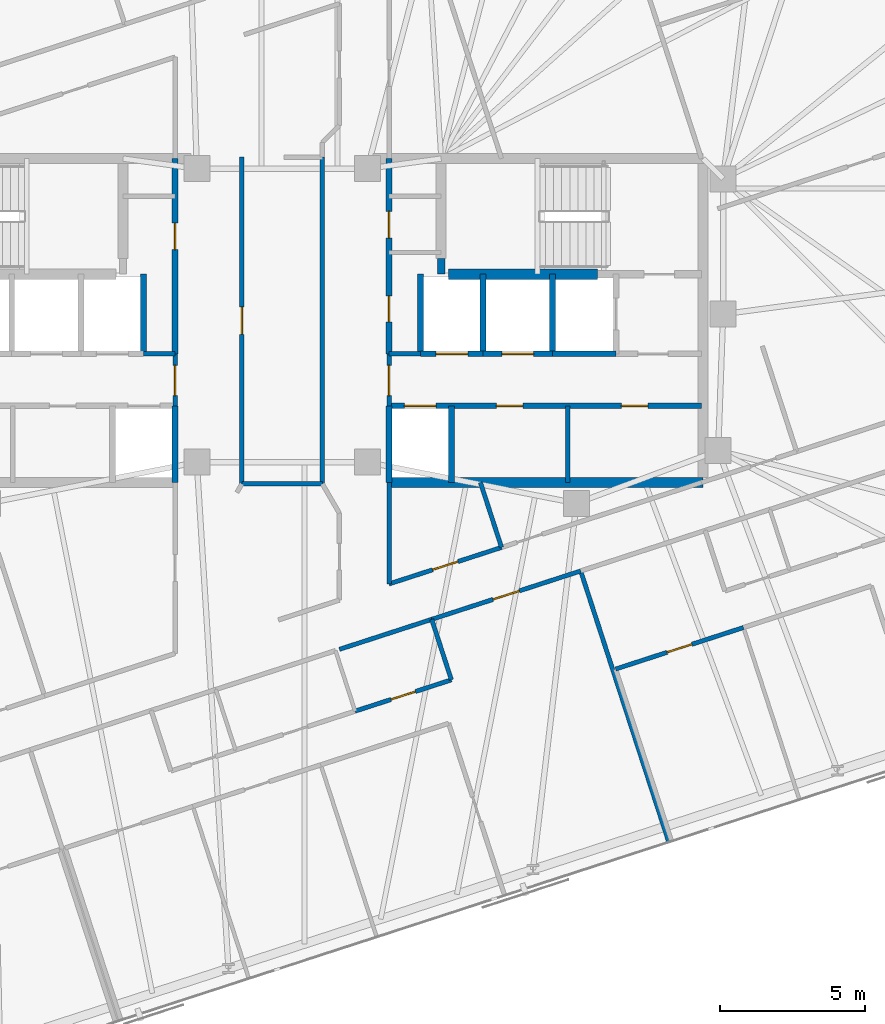
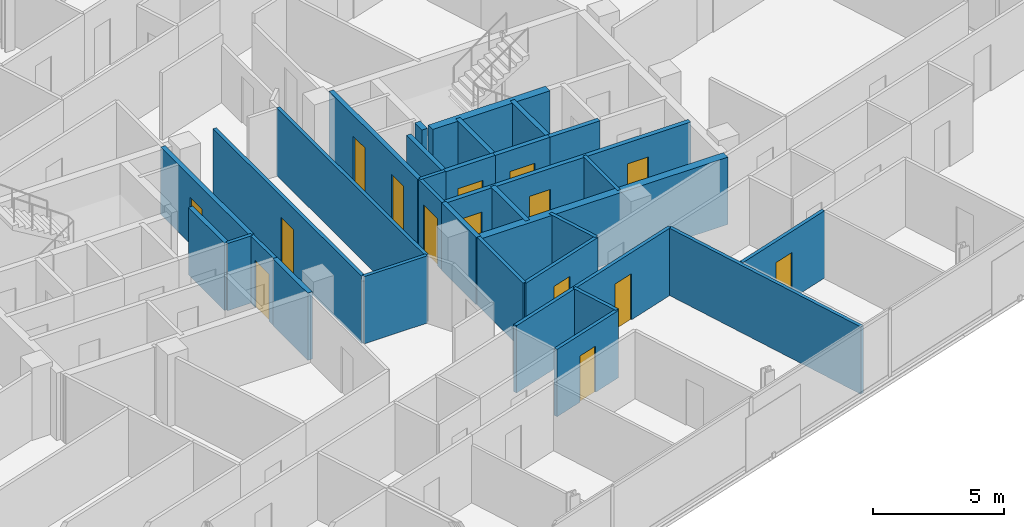
# One storey, part 15 of 20: 33 walls, 15 doors, 15 openings.
"""IFC4 building model written with IfcOpenShell, lengths in metres."""

from ifc_helpers import new_model, si_unit, direction, frame, frame_2d, origin, place, context, subcontext, project, spatial, rectangle, extrude, material, layer, layer_set, type_object, element, fill, save


model = new_model("IFC4")

# Units and contexts
model_context = context("Model", 3, precision=1e-05, world=origin(), true_north=direction((0.0, 1.0)))
body_context = subcontext(model_context, "Body", "Model", "MODEL_VIEW")
ifc_project = project(units=[si_unit("LENGTHUNIT", "METRE"), si_unit("AREAUNIT", "SQUARE_METRE"), si_unit("VOLUMEUNIT", "CUBIC_METRE"), si_unit("PLANEANGLEUNIT", "RADIAN"), si_unit("MASSUNIT", "GRAM", prefix="KILO")], contexts=[model_context])

# Site, building, storey
site_placement = place(None, origin())
site = spatial("IfcSite", under=ifc_project, at=site_placement, CompositionType="ELEMENT")
building_placement = place(site_placement, origin())
building = spatial("IfcBuilding", under=site, at=building_placement, Name="Menara Jurai Vektor", CompositionType="ELEMENT")
storey_placement = place(building_placement, frame((0.0, 0.0, 227.64990234375)))
storey = spatial("IfcBuildingStorey", under=building, at=storey_placement, Name="L60", CompositionType="ELEMENT", Elevation=227.64990234375)

# Walls
ifc_material_1 = material(Name="Concrete C40/50", Category="concrete")
ifc_layer_1 = layer(ifc_material_1, 0.25)
ifc_layer_set_1 = layer_set([ifc_layer_1], Name="Concrete C40/50")
wall_type_1 = type_object("IfcWallType", Name="INT-WALL-CORE-250", PredefinedType="STANDARD", material=ifc_layer_set_1)
wall_1_placement = place(storey_placement, frame((5.5, 1.60009765625, 0.0), z_axis=(0.0, 0.0, 1.0), x_axis=(0.0, 1.0, 0.0)))
element("IfcWall", 1, at=wall_1_placement, inside=storey, type_object=wall_type_1, Name="Interior Wall IW-250 L60", PredefinedType="STANDARD", context=body_context, shape_type="SweptSolid", body=[
    extrude(rectangle(XDim=0.5498046875, YDim=0.25, at=frame_2d((0.27490234375, 0.0))), origin(), (0.0, 0.0, 1.0), 3.125),
])
wall_2_placement = place(storey_placement, frame((9.35009765625, -1.14990234375, 0.0), z_axis=(0.0, 0.0, 1.0), x_axis=(0.0, 1.0, 0.0)))
element("IfcWall", 2, at=wall_2_placement, inside=storey, type_object=wall_type_1, Name="Interior Wall IW-250 L60", PredefinedType="STANDARD", context=body_context, shape_type="SweptSolid", body=[
    extrude(rectangle(XDim=2.75, YDim=0.199951171875, at=frame_2d((1.375, 0.0))), origin(), (0.0, 0.0, 1.0), 3.125),
])
wall_3_placement = place(storey_placement, frame((9.35009765625, -1.14990234375, 0.0), z_axis=(0.0, 0.0, 1.0), x_axis=(1.0, 0.0, 0.0)))
element("IfcWall", 3, at=wall_3_placement, inside=storey, type_object=wall_type_1, Name="Interior Wall IW-250 L60", PredefinedType="STANDARD", context=body_context, shape_type="SweptSolid", body=[
    extrude(rectangle(XDim=2.199951171875, YDim=0.199951171875, at=frame_2d((1.10009765625, 0.0))), origin(), (0.0, 0.0, 1.0), 3.125),
])

# Wall, opening, door
ifc_material_2 = material(Name="Gypsum Fireboard Partition", Category="gypsum")
ifc_layer_2 = layer(ifc_material_2, 0.14990234375)
ifc_layer_set_2 = layer_set([ifc_layer_2], Name="Gypsum Fireboard Partition")
wall_type_2 = type_object("IfcWallType", Name="INT-WALL-CORR-150", PredefinedType="PARTITIONING", material=ifc_layer_set_2)
wall_4_placement = place(storey_placement, frame((-3.699951171875, -2.949951171875, 0.0), z_axis=(0.0, 0.0, 1.0), x_axis=(0.0, 1.0, 0.0)))
wall_4 = element("IfcWall", 4, at=wall_4_placement, inside=storey, type_object=wall_type_2, Name="Interior Wall IW-150 L60", PredefinedType="PARTITIONING", context=body_context, shape_type="SweptSolid", body=[
    extrude(rectangle(XDim=1.800048828125, YDim=0.14990234375, at=frame_2d((0.89990234375, 0.0))), origin(), (0.0, 0.0, 1.0), 3.125),
])
opening_1_placement = place(wall_4_placement, frame((0.35009765625, 0.0, 0.0)))
opening_1 = element("IfcOpeningElement", 5, at=opening_1_placement, cuts=wall_4, Name="Opening D-L60-LLW", PredefinedType="OPENING", context=body_context, shape_type="SweptSolid", body=[
    extrude(rectangle(XDim=1.050048828125, YDim=2.179931640625, at=frame_2d((0.52490234375, 1.08984375))), frame((0.0, 0.0849609375, 0.0), z_axis=(0.0, -1.0, 0.0), x_axis=(1.0, 0.0, 0.0)), (0.0, 0.0, 1.0), 0.169921875),
])
ifc_material_3 = material(Name="Fire-Rated Timber Door", Category="wood")
door_type_1 = type_object("IfcDoorType", Name="DR-LOBBY-1050", OperationType="NOTDEFINED", PredefinedType="DOOR", material=ifc_material_3)
door_1_placement = place(opening_1_placement, origin())
door_1 = element("IfcDoor", 6, at=door_1_placement, inside=storey, type_object=door_type_1, Name="Lift Lobby Corridor Door W L60", OperationType="SINGLE_SWING_LEFT", OverallHeight=2.179931640625, OverallWidth=1.050048828125, PredefinedType="DOOR", context=body_context, shape_type="SweptSolid", body=[
    extrude(rectangle(XDim=1.050048828125, YDim=2.179931640625, at=frame_2d((0.52490234375, 1.08984375))), frame((0.0, 0.02490234375, 0.0), z_axis=(0.0, -1.0, 0.0), x_axis=(1.0, 0.0, 0.0)), (0.0, 0.0, 1.0), 0.050048828125),
])
fill(opening_1, door_1)

# Wall
wall_5_placement = place(storey_placement, frame((-4.7900390625, -1.14990234375, 0.0), z_axis=(0.0, 0.0, 1.0), x_axis=(1.0, 0.0, 0.0)))
element("IfcWall", 7, at=wall_5_placement, inside=storey, type_object=wall_type_2, Name="Interior Wall IW-150 L60", PredefinedType="PARTITIONING", context=body_context, shape_type="SweptSolid", body=[
    extrude(rectangle(XDim=1.090087890625, YDim=0.14990234375, at=frame_2d((0.544921875, 0.0))), origin(), (0.0, 0.0, 1.0), 3.125),
])

# Wall, opening, door
wall_6_placement = place(storey_placement, frame((3.699951171875, -2.949951171875, 0.0), z_axis=(0.0, 0.0, 1.0), x_axis=(0.0, 1.0, 0.0)))
wall_6 = element("IfcWall", 8, at=wall_6_placement, inside=storey, type_object=wall_type_2, Name="Interior Wall IW-150 L60", PredefinedType="PARTITIONING", context=body_context, shape_type="SweptSolid", body=[
    extrude(rectangle(XDim=1.800048828125, YDim=0.14990234375, at=frame_2d((0.89990234375, 0.0))), origin(), (0.0, 0.0, 1.0), 3.125),
])
opening_2_placement = place(wall_6_placement, frame((0.35009765625, 0.0, 0.0)))
opening_2 = element("IfcOpeningElement", 9, at=opening_2_placement, cuts=wall_6, Name="Opening D-L60-LLE", PredefinedType="OPENING", context=body_context, shape_type="SweptSolid", body=[
    extrude(rectangle(XDim=1.050048828125, YDim=2.179931640625, at=frame_2d((0.52490234375, 1.08984375))), frame((0.0, 0.0849609375, 0.0), z_axis=(0.0, -1.0, 0.0), x_axis=(1.0, 0.0, 0.0)), (0.0, 0.0, 1.0), 0.169921875),
])
door_2_placement = place(opening_2_placement, frame((1.050048828125, 0.0, 0.0), z_axis=(0.0, 0.0, 1.0), x_axis=(-1.0, 0.0, 0.0)))
door_2 = element("IfcDoor", 10, at=door_2_placement, inside=storey, type_object=door_type_1, Name="Lift Lobby Corridor Door E L60", OperationType="SINGLE_SWING_RIGHT", OverallHeight=2.179931640625, OverallWidth=1.050048828125, PredefinedType="DOOR", context=body_context, shape_type="SweptSolid", body=[
    extrude(rectangle(XDim=1.050048828125, YDim=2.179931640625, at=frame_2d((0.52490234375, 1.08984375))), frame((0.0, 0.02490234375, 0.0), z_axis=(0.0, -1.0, 0.0), x_axis=(1.0, 0.0, 0.0)), (0.0, 0.0, 1.0), 0.050048828125),
])
fill(opening_2, door_2)

# Walls
wall_7_placement = place(storey_placement, frame((3.699951171875, -1.14990234375, 0.0), z_axis=(0.0, 0.0, 1.0), x_axis=(1.0, 0.0, 0.0)))
element("IfcWall", 11, at=wall_7_placement, inside=storey, type_object=wall_type_2, Name="Interior Wall IW-150 L60", PredefinedType="PARTITIONING", context=body_context, shape_type="SweptSolid", body=[
    extrude(rectangle(XDim=1.090087890625, YDim=0.14990234375, at=frame_2d((0.544921875, 0.0))), origin(), (0.0, 0.0, 1.0), 3.125),
])
wall_8_placement = place(storey_placement, frame((9.8798828125, -5.60009765625, 0.0), z_axis=(0.0, 0.0, 1.0), x_axis=(0.0, 1.0, 0.0)))
element("IfcWall", 12, at=wall_8_placement, inside=storey, type_object=wall_type_2, Name="Interior Wall IW-150 L60", PredefinedType="PARTITIONING", context=body_context, shape_type="SweptSolid", body=[
    extrude(rectangle(XDim=2.650146484375, YDim=0.14990234375, at=frame_2d((1.3251953125, 0.0))), origin(), (0.0, 0.0, 1.0), 3.125),
])

# Wall, opening, door
wall_9_placement = place(storey_placement, frame((-1.390625, -5.650146484375, 0.0), z_axis=(0.0, 0.0, 1.0), x_axis=(-8.6422954e-05, 0.999999996266, 0.0)))
wall_9 = element("IfcWall", 13, at=wall_9_placement, inside=storey, type_object=wall_type_2, Name="Interior Wall IW-150 L60", PredefinedType="PARTITIONING", context=body_context, shape_type="SweptSolid", body=[
    extrude(rectangle(XDim=11.2998046875, YDim=0.14990234375, at=frame_2d((5.64990234375, 0.0))), origin(), (0.0, 0.0, 1.0), 3.125),
])
opening_3_placement = place(wall_9_placement, frame((5.1748046875, 0.0, 0.0)))
opening_3 = element("IfcOpeningElement", 14, at=opening_3_placement, cuts=wall_9, Name="Opening D60-08", PredefinedType="OPENING", context=body_context, shape_type="SweptSolid", body=[
    extrude(rectangle(XDim=0.949951171875, YDim=2.14990234375, at=frame_2d((0.47509765625, 1.074951171875))), frame((0.0, 0.0849609375, 0.0), z_axis=(0.0, -1.0, 0.0), x_axis=(1.0, 0.0, 0.0)), (0.0, 0.0, 1.0), 0.169921875),
])
ifc_material_4 = material(Name="Solid Core Timber Fire Door", Category="wood")
door_type_2 = type_object("IfcDoorType", Name="DR-ENTRY-950", OperationType="NOTDEFINED", PredefinedType="DOOR", material=ifc_material_4)
door_3_placement = place(opening_3_placement, origin())
door_3 = element("IfcDoor", 15, at=door_3_placement, inside=storey, type_object=door_type_2, Name="Interior Door D60-08", OperationType="SINGLE_SWING_LEFT", OverallHeight=2.14990234375, OverallWidth=0.949951171875, PredefinedType="DOOR", context=body_context, shape_type="SweptSolid", body=[
    extrude(rectangle(XDim=0.949951171875, YDim=2.14990234375, at=frame_2d((0.47509765625, 1.074951171875))), frame((0.0, 0.02490234375, 0.0), z_axis=(0.0, -1.0, 0.0), x_axis=(1.0, 0.0, 0.0)), (0.0, 0.0, 1.0), 0.050048828125),
])
fill(opening_3, door_3)

# Wall
wall_10_placement = place(storey_placement, frame((1.39111328125, -5.6484375, 0.0), z_axis=(0.0, 0.0, 1.0), x_axis=(-4.3218947e-05, 0.999999999066, 0.0)))
element("IfcWall", 16, at=wall_10_placement, inside=storey, type_object=wall_type_2, Name="Interior Wall IW-150 L60", PredefinedType="PARTITIONING", context=body_context, shape_type="SweptSolid", body=[
    extrude(rectangle(XDim=11.2978515625, YDim=0.14990234375, at=frame_2d((5.64892578125, 0.0))), origin(), (0.0, 0.0, 1.0), 3.125),
])

# Wall, opening, door
wall_11_placement = place(storey_placement, frame((5.174072265625, -10.333740234375, 0.0), z_axis=(0.0, 0.0, 1.0), x_axis=(0.951058579685, 0.30901064384, 0.0)))
wall_11 = element("IfcWall", 17, at=wall_11_placement, inside=storey, type_object=wall_type_2, Name="Interior Wall IW-150 L60", PredefinedType="PARTITIONING", context=body_context, shape_type="SweptSolid", body=[
    extrude(rectangle(XDim=5.416015625, YDim=0.14990234375, at=frame_2d((2.7080078125, 0.0))), origin(), (0.0, 0.0, 1.0), 3.125),
])
opening_4_placement = place(wall_11_placement, frame((2.23291015625, 0.0, 0.0)))
opening_4 = element("IfcOpeningElement", 18, at=opening_4_placement, cuts=wall_11, Name="Opening D60-28", PredefinedType="OPENING", context=body_context, shape_type="SweptSolid", body=[
    extrude(rectangle(XDim=0.949951171875, YDim=2.14990234375, at=frame_2d((0.47509765625, 1.074951171875))), frame((0.0, 0.0849609375, 0.0), z_axis=(0.0, -1.0, 0.0), x_axis=(1.0, 0.0, 0.0)), (0.0, 0.0, 1.0), 0.169921875),
])
door_4_placement = place(opening_4_placement, origin())
door_4 = element("IfcDoor", 19, at=door_4_placement, inside=storey, type_object=door_type_2, Name="Interior Door D60-28", OperationType="SINGLE_SWING_LEFT", OverallHeight=2.14990234375, OverallWidth=0.949951171875, PredefinedType="DOOR", context=body_context, shape_type="SweptSolid", body=[
    extrude(rectangle(XDim=0.949951171875, YDim=2.14990234375, at=frame_2d((0.47509765625, 1.074951171875))), frame((0.0, 0.02490234375, 0.0), z_axis=(0.0, -1.0, 0.0), x_axis=(1.0, 0.0, 0.0)), (0.0, 0.0, 1.0), 0.050048828125),
])
fill(opening_4, door_4)

# Walls
wall_12_placement = place(storey_placement, frame((1.980224609375, -11.37158203125, 0.0), z_axis=(0.0, 0.0, 1.0), x_axis=(0.951047958247, 0.309043332098, 0.0)))
element("IfcWall", 20, at=wall_12_placement, inside=storey, type_object=wall_type_2, Name="Interior Wall IW-150 L60", PredefinedType="PARTITIONING", context=body_context, shape_type="SweptSolid", body=[
    extrude(rectangle(XDim=3.358154296875, YDim=0.14990234375, at=frame_2d((1.67919921875, 0.0))), origin(), (0.0, 0.0, 1.0), 3.125),
])
wall_13_placement = place(storey_placement, frame((3.700439453125, -9.109130859375, 0.0), z_axis=(0.0, 0.0, 1.0), x_axis=(-0.000139130433, 0.999999990321, 0.0)))
element("IfcWall", 21, at=wall_13_placement, inside=storey, type_object=wall_type_2, Name="Interior Wall IW-150 L60", PredefinedType="PARTITIONING", context=body_context, shape_type="SweptSolid", body=[
    extrude(rectangle(XDim=3.509521484375, YDim=0.14990234375, at=frame_2d((1.7548828125, 0.0))), origin(), (0.0, 0.0, 1.0), 3.125),
])

# Wall, opening, door
wall_14_placement = place(storey_placement, frame((3.700439453125, -9.109130859375, 0.0), z_axis=(0.0, 0.0, 1.0), x_axis=(0.95106259184, 0.308998295145, 0.0)))
wall_14 = element("IfcWall", 22, at=wall_14_placement, inside=storey, type_object=wall_type_2, Name="Interior Wall IW-150 L60", PredefinedType="PARTITIONING", context=body_context, shape_type="SweptSolid", body=[
    extrude(rectangle(XDim=4.087890625, YDim=0.14990234375, at=frame_2d((2.0439453125, 0.0))), origin(), (0.0, 0.0, 1.0), 3.125),
])
opening_5_placement = place(wall_14_placement, frame((1.583984375, 0.0, 0.0)))
opening_5 = element("IfcOpeningElement", 23, at=opening_5_placement, cuts=wall_14, Name="Opening D60-46", PredefinedType="OPENING", context=body_context, shape_type="SweptSolid", body=[
    extrude(rectangle(XDim=0.919921875, YDim=2.14990234375, at=frame_2d((0.4599609375, 1.074951171875))), frame((0.0, 0.0849609375, 0.0), z_axis=(0.0, -1.0, 0.0), x_axis=(1.0, 0.0, 0.0)), (0.0, 0.0, 1.0), 0.169921875),
])
door_5_placement = place(opening_5_placement, origin())
door_5 = element("IfcDoor", 24, at=door_5_placement, inside=storey, type_object=door_type_2, Name="Interior Door D60-46", OperationType="SINGLE_SWING_LEFT", OverallHeight=2.14990234375, OverallWidth=0.919921875, PredefinedType="DOOR", context=body_context, shape_type="SweptSolid", body=[
    extrude(rectangle(XDim=0.919921875, YDim=2.14990234375, at=frame_2d((0.4599609375, 1.074951171875))), frame((0.0, 0.02490234375, 0.0), z_axis=(0.0, -1.0, 0.0), x_axis=(1.0, 0.0, 0.0)), (0.0, 0.0, 1.0), 0.050048828125),
])
fill(opening_5, door_5)

# Wall
wall_15_placement = place(storey_placement, frame((-1.390625, -5.650146484375, 0.0), z_axis=(0.0, 0.0, 1.0), x_axis=(0.999999965344, 0.000263273356, 0.0)))
element("IfcWall", 25, at=wall_15_placement, inside=storey, type_object=wall_type_2, Name="Interior Wall IW-150 L60", PredefinedType="PARTITIONING", context=body_context, shape_type="SweptSolid", body=[
    extrude(rectangle(XDim=2.781982421875, YDim=0.14990234375, at=frame_2d((1.39111328125, 0.0))), origin(), (0.0, 0.0, 1.0), 3.125),
])

# Wall, opening, door
wall_16_placement = place(storey_placement, frame((2.525146484375, -13.5078125, 0.0), z_axis=(0.0, 0.0, 1.0), x_axis=(0.95103509395, 0.3090829178, 0.0)))
wall_16 = element("IfcWall", 26, at=wall_16_placement, inside=storey, type_object=wall_type_2, Name="Interior Wall IW-150 L60", PredefinedType="PARTITIONING", context=body_context, shape_type="SweptSolid", body=[
    extrude(rectangle(XDim=3.5, YDim=0.14990234375, at=frame_2d((1.75, 0.0))), origin(), (0.0, 0.0, 1.0), 3.125),
])
opening_6_placement = place(wall_16_placement, frame((1.31005859375, 0.0, 0.0)))
opening_6 = element("IfcOpeningElement", 27, at=opening_6_placement, cuts=wall_16, Name="Opening D60-31", PredefinedType="OPENING", context=body_context, shape_type="SweptSolid", body=[
    extrude(rectangle(XDim=0.8798828125, YDim=2.14990234375, at=frame_2d((0.43994140625, 1.074951171875))), frame((0.0, 0.0849609375, 0.0), z_axis=(0.0, -1.0, 0.0), x_axis=(1.0, 0.0, 0.0)), (0.0, 0.0, 1.0), 0.169921875),
])
ifc_material_5 = material(Name="Moisture-Resistant Timber Door", Category="wood")
door_type_3 = type_object("IfcDoorType", Name="DR-BATH-880", OperationType="NOTDEFINED", PredefinedType="DOOR", material=ifc_material_5)
door_6_placement = place(opening_6_placement, origin())
door_6 = element("IfcDoor", 28, at=door_6_placement, inside=storey, type_object=door_type_3, Name="Interior Door D60-31", OperationType="SINGLE_SWING_RIGHT", OverallHeight=2.14990234375, OverallWidth=0.8798828125, PredefinedType="DOOR", context=body_context, shape_type="SweptSolid", body=[
    extrude(rectangle(XDim=0.8798828125, YDim=2.14990234375, at=frame_2d((0.43994140625, 1.074951171875))), frame((0.0, 0.02490234375, 0.0), z_axis=(0.0, -1.0, 0.0), x_axis=(1.0, 0.0, 0.0)), (0.0, 0.0, 1.0), 0.050048828125),
])
fill(opening_6, door_6)

# Walls
wall_17_placement = place(storey_placement, frame((5.853759765625, -12.426025390625, 0.0), z_axis=(0.0, 0.0, 1.0), x_axis=(-0.308960600764, 0.951074837842, 0.0)))
element("IfcWall", 29, at=wall_17_placement, inside=storey, type_object=wall_type_2, Name="Interior Wall IW-150 L60", PredefinedType="PARTITIONING", context=body_context, shape_type="SweptSolid", body=[
    extrude(rectangle(XDim=2.199951171875, YDim=0.14990234375, at=frame_2d((1.10009765625, 0.0))), origin(), (0.0, 0.0, 1.0), 3.125),
])
wall_18_placement = place(storey_placement, frame((13.372314453125, -18.03955078125, 0.0), z_axis=(0.0, 0.0, 1.0), x_axis=(-0.308999867152, 0.951062081097, 0.0)))
element("IfcWall", 30, at=wall_18_placement, inside=storey, type_object=wall_type_2, Name="Interior Wall IW-150 L60", PredefinedType="PARTITIONING", context=body_context, shape_type="SweptSolid", body=[
    extrude(rectangle(XDim=9.862060546875, YDim=0.14990234375, at=frame_2d((4.93115234375, 0.0))), origin(), (0.0, 0.0, 1.0), 3.125),
])

# Wall, opening, door
wall_19_placement = place(storey_placement, frame((11.532470703125, -12.052978515625, 0.0), z_axis=(0.0, 0.0, 1.0), x_axis=(0.951065702951, 0.308988719326, 0.0)))
wall_19 = element("IfcWall", 31, at=wall_19_placement, inside=storey, type_object=wall_type_2, Name="Interior Wall IW-150 L60", PredefinedType="PARTITIONING", context=body_context, shape_type="SweptSolid", body=[
    extrude(rectangle(XDim=4.64990234375, YDim=0.14990234375, at=frame_2d((2.324951171875, 0.0))), origin(), (0.0, 0.0, 1.0), 3.125),
])
opening_7_placement = place(wall_19_placement, frame((1.875, 0.0, 0.0)))
opening_7 = element("IfcOpeningElement", 32, at=opening_7_placement, cuts=wall_19, Name="Opening D60-39", PredefinedType="OPENING", context=body_context, shape_type="SweptSolid", body=[
    extrude(rectangle(XDim=0.89990234375, YDim=2.14990234375, at=frame_2d((0.449951171875, 1.074951171875))), frame((0.0, 0.0849609375, 0.0), z_axis=(0.0, -1.0, 0.0), x_axis=(1.0, 0.0, 0.0)), (0.0, 0.0, 1.0), 0.169921875),
])
ifc_material_6 = material(Name="Acoustic Timber Interior Door", Category="wood")
door_type_4 = type_object("IfcDoorType", Name="DR-ROOM-900", OperationType="NOTDEFINED", PredefinedType="DOOR", material=ifc_material_6)
door_7_placement = place(opening_7_placement, origin())
door_7 = element("IfcDoor", 33, at=door_7_placement, inside=storey, type_object=door_type_4, Name="Interior Door D60-39", OperationType="SINGLE_SWING_RIGHT", OverallHeight=2.14990234375, OverallWidth=0.89990234375, PredefinedType="DOOR", context=body_context, shape_type="SweptSolid", body=[
    extrude(rectangle(XDim=0.89990234375, YDim=2.14990234375, at=frame_2d((0.449951171875, 1.074951171875))), frame((0.0, 0.02490234375, 0.0), z_axis=(0.0, -1.0, 0.0), x_axis=(1.0, 0.0, 0.0)), (0.0, 0.0, 1.0), 0.050048828125),
])
fill(opening_7, door_7)

# Wall
wall_20_placement = place(storey_placement, frame((7.58837890625, -7.845947265625, 0.0), z_axis=(0.0, 0.0, 1.0), x_axis=(-0.309055688452, 0.951043942957, 0.0)))
element("IfcWall", 34, at=wall_20_placement, inside=storey, type_object=wall_type_2, Name="Interior Wall IW-150 L60", PredefinedType="PARTITIONING", context=body_context, shape_type="SweptSolid", body=[
    extrude(rectangle(XDim=2.362060546875, YDim=0.14990234375, at=frame_2d((1.18115234375, 0.0))), origin(), (0.0, 0.0, 1.0), 3.125),
])

# Wall, opening, door
ifc_layer_3 = layer(ifc_material_1, 0.199951171875)
ifc_layer_set_3 = layer_set([ifc_layer_3], Name="Concrete C40/50")
wall_type_3 = type_object("IfcWallType", Name="INT-WALL-SHAFT-200", PredefinedType="STANDARD", material=ifc_layer_set_3)
wall_21_placement = place(storey_placement, frame((-3.699951171875, -1.14990234375, 0.0), z_axis=(0.0, 0.0, 1.0), x_axis=(0.0, 1.0, 0.0)))
wall_21 = element("IfcWall", 35, at=wall_21_placement, inside=storey, type_object=wall_type_3, Name="Interior Wall IW-200 L60", PredefinedType="STANDARD", context=body_context, shape_type="SweptSolid", body=[
    extrude(rectangle(XDim=6.75, YDim=0.199951171875, at=frame_2d((3.375, 0.0))), origin(), (0.0, 0.0, 1.0), 3.125),
])
opening_8_placement = place(wall_21_placement, frame((3.60009765625, 0.0, 0.0)))
opening_8 = element("IfcOpeningElement", 36, at=opening_8_placement, cuts=wall_21, Name="Opening D60-03", PredefinedType="OPENING", context=body_context, shape_type="SweptSolid", body=[
    extrude(rectangle(XDim=0.919921875, YDim=2.14990234375, at=frame_2d((0.4599609375, 1.074951171875))), frame((0.0, 0.10986328125, 0.0), z_axis=(0.0, -1.0, 0.0), x_axis=(1.0, 0.0, 0.0)), (0.0, 0.0, 1.0), 0.219970703125),
])
door_8_placement = place(opening_8_placement, origin())
door_8 = element("IfcDoor", 37, at=door_8_placement, inside=storey, type_object=door_type_2, Name="Interior Door D60-03", OperationType="SINGLE_SWING_LEFT", OverallHeight=2.14990234375, OverallWidth=0.919921875, PredefinedType="DOOR", context=body_context, shape_type="SweptSolid", body=[
    extrude(rectangle(XDim=0.919921875, YDim=2.14990234375, at=frame_2d((0.4599609375, 1.074951171875))), frame((0.0, 0.02490234375, 0.0), z_axis=(0.0, -1.0, 0.0), x_axis=(1.0, 0.0, 0.0)), (0.0, 0.0, 1.0), 0.050048828125),
])
fill(opening_8, door_8)

# Walls
wall_22_placement = place(storey_placement, frame((-3.699951171875, -5.60009765625, 0.0), z_axis=(0.0, 0.0, 1.0), x_axis=(0.0, 1.0, 0.0)))
element("IfcWall", 38, at=wall_22_placement, inside=storey, type_object=wall_type_3, Name="Interior Wall IW-200 L60", PredefinedType="STANDARD", context=body_context, shape_type="SweptSolid", body=[
    extrude(rectangle(XDim=2.650146484375, YDim=0.199951171875, at=frame_2d((1.3251953125, 0.0))), origin(), (0.0, 0.0, 1.0), 3.125),
])
wall_23_placement = place(storey_placement, frame((-4.7900390625, -1.14990234375, 0.0), z_axis=(0.0, 0.0, 1.0), x_axis=(0.0, 1.0, 0.0)))
element("IfcWall", 39, at=wall_23_placement, inside=storey, type_object=wall_type_3, Name="Interior Wall IW-200 L60", PredefinedType="STANDARD", context=body_context, shape_type="SweptSolid", body=[
    extrude(rectangle(XDim=2.75, YDim=0.199951171875, at=frame_2d((1.375, 0.0))), origin(), (0.0, 0.0, 1.0), 3.125),
])

# Wall, openings, doors
wall_24_placement = place(storey_placement, frame((3.699951171875, -1.14990234375, 0.0), z_axis=(0.0, 0.0, 1.0), x_axis=(0.0, 1.0, 0.0)))
wall_24 = element("IfcWall", 40, at=wall_24_placement, inside=storey, type_object=wall_type_3, Name="Interior Wall IW-200 L60", PredefinedType="STANDARD", context=body_context, shape_type="SweptSolid", body=[
    extrude(rectangle(XDim=6.75, YDim=0.199951171875, at=frame_2d((3.375, 0.0))), origin(), (0.0, 0.0, 1.0), 3.125),
])
opening_9_placement = place(wall_24_placement, frame((1.10009765625, 0.0, 0.0)))
opening_9 = element("IfcOpeningElement", 41, at=opening_9_placement, cuts=wall_24, Name="Opening D60-06", PredefinedType="OPENING", context=body_context, shape_type="SweptSolid", body=[
    extrude(rectangle(XDim=0.89990234375, YDim=2.14990234375, at=frame_2d((0.449951171875, 1.074951171875))), frame((0.0, 0.10986328125, 0.0), z_axis=(0.0, -1.0, 0.0), x_axis=(1.0, 0.0, 0.0)), (0.0, 0.0, 1.0), 0.219970703125),
])
opening_10_placement = place(wall_24_placement, frame((4.0, 0.0, 0.0)))
opening_10 = element("IfcOpeningElement", 42, at=opening_10_placement, cuts=wall_24, Name="Opening D60-07", PredefinedType="OPENING", context=body_context, shape_type="SweptSolid", body=[
    extrude(rectangle(XDim=0.919921875, YDim=2.14990234375, at=frame_2d((0.4599609375, 1.074951171875))), frame((0.0, 0.10986328125, 0.0), z_axis=(0.0, -1.0, 0.0), x_axis=(1.0, 0.0, 0.0)), (0.0, 0.0, 1.0), 0.219970703125),
])
door_9_placement = place(opening_9_placement, origin())
door_9 = element("IfcDoor", 43, at=door_9_placement, inside=storey, type_object=door_type_2, Name="Interior Door D60-06", OperationType="SINGLE_SWING_RIGHT", OverallHeight=2.14990234375, OverallWidth=0.89990234375, PredefinedType="DOOR", context=body_context, shape_type="SweptSolid", body=[
    extrude(rectangle(XDim=0.89990234375, YDim=2.14990234375, at=frame_2d((0.449951171875, 1.074951171875))), frame((0.0, 0.02490234375, 0.0), z_axis=(0.0, -1.0, 0.0), x_axis=(1.0, 0.0, 0.0)), (0.0, 0.0, 1.0), 0.050048828125),
])
fill(opening_9, door_9)
door_10_placement = place(opening_10_placement, origin())
door_10 = element("IfcDoor", 44, at=door_10_placement, inside=storey, type_object=door_type_2, Name="Interior Door D60-07", OperationType="SINGLE_SWING_RIGHT", OverallHeight=2.14990234375, OverallWidth=0.919921875, PredefinedType="DOOR", context=body_context, shape_type="SweptSolid", body=[
    extrude(rectangle(XDim=0.919921875, YDim=2.14990234375, at=frame_2d((0.4599609375, 1.074951171875))), frame((0.0, 0.02490234375, 0.0), z_axis=(0.0, -1.0, 0.0), x_axis=(1.0, 0.0, 0.0)), (0.0, 0.0, 1.0), 0.050048828125),
])
fill(opening_10, door_10)

# Walls
wall_25_placement = place(storey_placement, frame((3.699951171875, -5.60009765625, 0.0), z_axis=(0.0, 0.0, 1.0), x_axis=(0.0, 1.0, 0.0)))
element("IfcWall", 45, at=wall_25_placement, inside=storey, type_object=wall_type_3, Name="Interior Wall IW-200 L60", PredefinedType="STANDARD", context=body_context, shape_type="SweptSolid", body=[
    extrude(rectangle(XDim=2.650146484375, YDim=0.199951171875, at=frame_2d((1.3251953125, 0.0))), origin(), (0.0, 0.0, 1.0), 3.125),
])
wall_26_placement = place(storey_placement, frame((6.949951171875, -1.14990234375, 0.0), z_axis=(0.0, 0.0, 1.0), x_axis=(0.0, 1.0, 0.0)))
element("IfcWall", 46, at=wall_26_placement, inside=storey, type_object=wall_type_3, Name="Interior Wall IW-200 L60", PredefinedType="STANDARD", context=body_context, shape_type="SweptSolid", body=[
    extrude(rectangle(XDim=2.75, YDim=0.199951171875, at=frame_2d((1.375, 0.0))), origin(), (0.0, 0.0, 1.0), 3.125),
])

# Wall, opening, door
wall_27_placement = place(storey_placement, frame((6.949951171875, -1.14990234375, 0.0), z_axis=(0.0, 0.0, 1.0), x_axis=(1.0, 0.0, 0.0)))
wall_27 = element("IfcWall", 47, at=wall_27_placement, inside=storey, type_object=wall_type_3, Name="Interior Wall IW-200 L60", PredefinedType="STANDARD", context=body_context, shape_type="SweptSolid", body=[
    extrude(rectangle(XDim=2.400146484375, YDim=0.199951171875, at=frame_2d((1.2001953125, 0.0))), origin(), (0.0, 0.0, 1.0), 3.125),
])
opening_11_placement = place(wall_27_placement, frame((0.64990234375, 0.0, 0.0)))
opening_11 = element("IfcOpeningElement", 48, at=opening_11_placement, cuts=wall_27, Name="Opening LD-L60-SVL2", PredefinedType="OPENING", context=body_context, shape_type="SweptSolid", body=[
    extrude(rectangle(XDim=1.10009765625, YDim=2.14990234375, at=frame_2d((0.550048828125, 1.074951171875))), frame((0.0, 0.10986328125, 0.0), z_axis=(0.0, -1.0, 0.0), x_axis=(1.0, 0.0, 0.0)), (0.0, 0.0, 1.0), 0.219970703125),
])
ifc_material_7 = material(Name="Anodised Stainless Sliding Lift Landing Door", Category="steel")
door_type_5 = type_object("IfcDoorType", Name="DR-LIFT-PASS-1100", OperationType="NOTDEFINED", PredefinedType="DOOR", material=ifc_material_7)
door_11_placement = place(opening_11_placement, origin())
door_11 = element("IfcDoor", 49, at=door_11_placement, inside=storey, type_object=door_type_5, Name="Lift Landing Door SVL2 L60", OperationType="SLIDING_TO_RIGHT", OverallHeight=2.14990234375, OverallWidth=1.10009765625, PredefinedType="DOOR", context=body_context, shape_type="SweptSolid", body=[
    extrude(rectangle(XDim=1.10009765625, YDim=2.14990234375, at=frame_2d((0.550048828125, 1.074951171875))), frame((0.0, 0.02490234375, 0.0), z_axis=(0.0, -1.0, 0.0), x_axis=(1.0, 0.0, 0.0)), (0.0, 0.0, 1.0), 0.050048828125),
])
fill(opening_11, door_11)

# Wall
wall_28_placement = place(storey_placement, frame((4.7900390625, -1.14990234375, 0.0), z_axis=(0.0, 0.0, 1.0), x_axis=(0.0, 1.0, 0.0)))
element("IfcWall", 50, at=wall_28_placement, inside=storey, type_object=wall_type_3, Name="Interior Wall IW-200 L60", PredefinedType="STANDARD", context=body_context, shape_type="SweptSolid", body=[
    extrude(rectangle(XDim=2.75, YDim=0.199951171875, at=frame_2d((1.375, 0.0))), origin(), (0.0, 0.0, 1.0), 3.125),
])

# Wall, opening, door
wall_29_placement = place(storey_placement, frame((4.7900390625, -1.14990234375, 0.0), z_axis=(0.0, 0.0, 1.0), x_axis=(1.0, 0.0, 0.0)))
wall_29 = element("IfcWall", 51, at=wall_29_placement, inside=storey, type_object=wall_type_3, Name="Interior Wall IW-200 L60", PredefinedType="STANDARD", context=body_context, shape_type="SweptSolid", body=[
    extrude(rectangle(XDim=2.159912109375, YDim=0.199951171875, at=frame_2d((1.080078125, 0.0))), origin(), (0.0, 0.0, 1.0), 3.125),
])
opening_12_placement = place(wall_29_placement, frame((0.530029296875, 0.0, 0.0)))
opening_12 = element("IfcOpeningElement", 52, at=opening_12_placement, cuts=wall_29, Name="Opening LD-L60-PH4", PredefinedType="OPENING", context=body_context, shape_type="SweptSolid", body=[
    extrude(rectangle(XDim=1.10009765625, YDim=2.14990234375, at=frame_2d((0.550048828125, 1.074951171875))), frame((0.0, 0.10986328125, 0.0), z_axis=(0.0, -1.0, 0.0), x_axis=(1.0, 0.0, 0.0)), (0.0, 0.0, 1.0), 0.219970703125),
])
door_12_placement = place(opening_12_placement, origin())
door_12 = element("IfcDoor", 53, at=door_12_placement, inside=storey, type_object=door_type_5, Name="Lift Landing Door PH4 L60", OperationType="SLIDING_TO_LEFT", OverallHeight=2.14990234375, OverallWidth=1.10009765625, PredefinedType="DOOR", context=body_context, shape_type="SweptSolid", body=[
    extrude(rectangle(XDim=1.10009765625, YDim=2.14990234375, at=frame_2d((0.550048828125, 1.074951171875))), frame((0.0, 0.02490234375, 0.0), z_axis=(0.0, -1.0, 0.0), x_axis=(1.0, 0.0, 0.0)), (0.0, 0.0, 1.0), 0.050048828125),
])
fill(opening_12, door_12)

# Wall, openings, doors
wall_30_placement = place(storey_placement, frame((3.699951171875, -2.949951171875, 0.0), z_axis=(0.0, 0.0, 1.0), x_axis=(1.0, 0.0, 0.0)))
wall_30 = element("IfcWall", 54, at=wall_30_placement, inside=storey, type_object=wall_type_3, Name="Interior Wall IW-200 L60", PredefinedType="STANDARD", context=body_context, shape_type="SweptSolid", body=[
    extrude(rectangle(XDim=10.800048828125, YDim=0.199951171875, at=frame_2d((5.39990234375, 0.0))), origin(), (0.0, 0.0, 1.0), 3.125),
])
opening_13_placement = place(wall_30_placement, frame((0.530029296875, 0.0, 0.0)))
opening_13 = element("IfcOpeningElement", 55, at=opening_13_placement, cuts=wall_30, Name="Opening LD-L60-PH3", PredefinedType="OPENING", context=body_context, shape_type="SweptSolid", body=[
    extrude(rectangle(XDim=1.10009765625, YDim=2.14990234375, at=frame_2d((0.550048828125, 1.074951171875))), frame((0.0, 0.10986328125, 0.0), z_axis=(0.0, -1.0, 0.0), x_axis=(1.0, 0.0, 0.0)), (0.0, 0.0, 1.0), 0.219970703125),
])
opening_14_placement = place(wall_30_placement, frame((3.7099609375, 0.0, 0.0)))
opening_14 = element("IfcOpeningElement", 56, at=opening_14_placement, cuts=wall_30, Name="Opening D60-04", PredefinedType="OPENING", context=body_context, shape_type="SweptSolid", body=[
    extrude(rectangle(XDim=0.919921875, YDim=2.14990234375, at=frame_2d((0.4599609375, 1.074951171875))), frame((0.0, 0.10986328125, 0.0), z_axis=(0.0, -1.0, 0.0), x_axis=(1.0, 0.0, 0.0)), (0.0, 0.0, 1.0), 0.219970703125),
])
opening_15_placement = place(wall_30_placement, frame((8.030029296875, 0.0, 0.0)))
opening_15 = element("IfcOpeningElement", 57, at=opening_15_placement, cuts=wall_30, Name="Opening D60-05", PredefinedType="OPENING", context=body_context, shape_type="SweptSolid", body=[
    extrude(rectangle(XDim=0.919921875, YDim=2.14990234375, at=frame_2d((0.4599609375, 1.074951171875))), frame((0.0, 0.10986328125, 0.0), z_axis=(0.0, -1.0, 0.0), x_axis=(1.0, 0.0, 0.0)), (0.0, 0.0, 1.0), 0.219970703125),
])
door_13_placement = place(opening_14_placement, origin())
door_13 = element("IfcDoor", 58, at=door_13_placement, inside=storey, type_object=door_type_2, Name="Interior Door D60-04", OperationType="SINGLE_SWING_LEFT", OverallHeight=2.14990234375, OverallWidth=0.919921875, PredefinedType="DOOR", context=body_context, shape_type="SweptSolid", body=[
    extrude(rectangle(XDim=0.919921875, YDim=2.14990234375, at=frame_2d((0.4599609375, 1.074951171875))), frame((0.0, 0.02490234375, 0.0), z_axis=(0.0, -1.0, 0.0), x_axis=(1.0, 0.0, 0.0)), (0.0, 0.0, 1.0), 0.050048828125),
])
fill(opening_14, door_13)
door_14_placement = place(opening_15_placement, origin())
door_14 = element("IfcDoor", 59, at=door_14_placement, inside=storey, type_object=door_type_2, Name="Interior Door D60-05", OperationType="SINGLE_SWING_RIGHT", OverallHeight=2.14990234375, OverallWidth=0.919921875, PredefinedType="DOOR", context=body_context, shape_type="SweptSolid", body=[
    extrude(rectangle(XDim=0.919921875, YDim=2.14990234375, at=frame_2d((0.4599609375, 1.074951171875))), frame((0.0, 0.02490234375, 0.0), z_axis=(0.0, -1.0, 0.0), x_axis=(1.0, 0.0, 0.0)), (0.0, 0.0, 1.0), 0.050048828125),
])
fill(opening_15, door_14)
door_15_placement = place(opening_13_placement, origin())
door_15 = element("IfcDoor", 60, at=door_15_placement, inside=storey, type_object=door_type_5, Name="Lift Landing Door PH3 L60", OperationType="SLIDING_TO_RIGHT", OverallHeight=2.14990234375, OverallWidth=1.10009765625, PredefinedType="DOOR", context=body_context, shape_type="SweptSolid", body=[
    extrude(rectangle(XDim=1.10009765625, YDim=2.14990234375, at=frame_2d((0.550048828125, 1.074951171875))), frame((0.0, 0.02490234375, 0.0), z_axis=(0.0, -1.0, 0.0), x_axis=(1.0, 0.0, 0.0)), (0.0, 0.0, 1.0), 0.050048828125),
])
fill(opening_13, door_15)

# Walls
wall_31_placement = place(storey_placement, frame((5.860107421875, -5.60009765625, 0.0), z_axis=(0.0, 0.0, 1.0), x_axis=(0.0, 1.0, 0.0)))
element("IfcWall", 61, at=wall_31_placement, inside=storey, type_object=wall_type_3, Name="Interior Wall IW-200 L60", PredefinedType="STANDARD", context=body_context, shape_type="SweptSolid", body=[
    extrude(rectangle(XDim=2.650146484375, YDim=0.199951171875, at=frame_2d((1.3251953125, 0.0))), origin(), (0.0, 0.0, 1.0), 3.125),
])
ifc_material_8 = material(Name="Concrete C50/60", Category="concrete")
ifc_layer_4 = layer(ifc_material_8, 0.35009765625)
ifc_layer_set_4 = layer_set([ifc_layer_4], Name="Concrete C50/60")
wall_type_4 = type_object("IfcWallType", Name="STR-WALL-CORE350", PredefinedType="SHEAR", material=ifc_layer_set_4)
wall_32_placement = place(storey_placement, frame((3.699951171875, -5.60009765625, 0.0), z_axis=(0.0, 0.0, 1.0), x_axis=(1.0, 0.0, 0.0)))
element("IfcWall", 62, at=wall_32_placement, inside=storey, type_object=wall_type_4, Name="Core Shear Wall CW-E-S L60", PredefinedType="SHEAR", context=body_context, shape_type="SweptSolid", body=[
    extrude(rectangle(XDim=10.860107421875, YDim=0.35009765625, at=frame_2d((5.43017578125, 0.0))), origin(), (0.0, 0.0, 1.0), 3.125),
])
wall_33_placement = place(storey_placement, frame((5.75, 1.60009765625, 0.0), z_axis=(0.0, 0.0, 1.0), x_axis=(1.0, 0.0, 0.0)))
element("IfcWall", 63, at=wall_33_placement, inside=storey, type_object=wall_type_4, Name="Core Shear Wall CW-E-STS L60", PredefinedType="SHEAR", context=body_context, shape_type="SweptSolid", body=[
    extrude(rectangle(XDim=5.14990234375, YDim=0.35009765625, at=frame_2d((2.574951171875, 0.0))), origin(), (0.0, 0.0, 1.0), 3.125),
])

save(model, "model.ifc")
